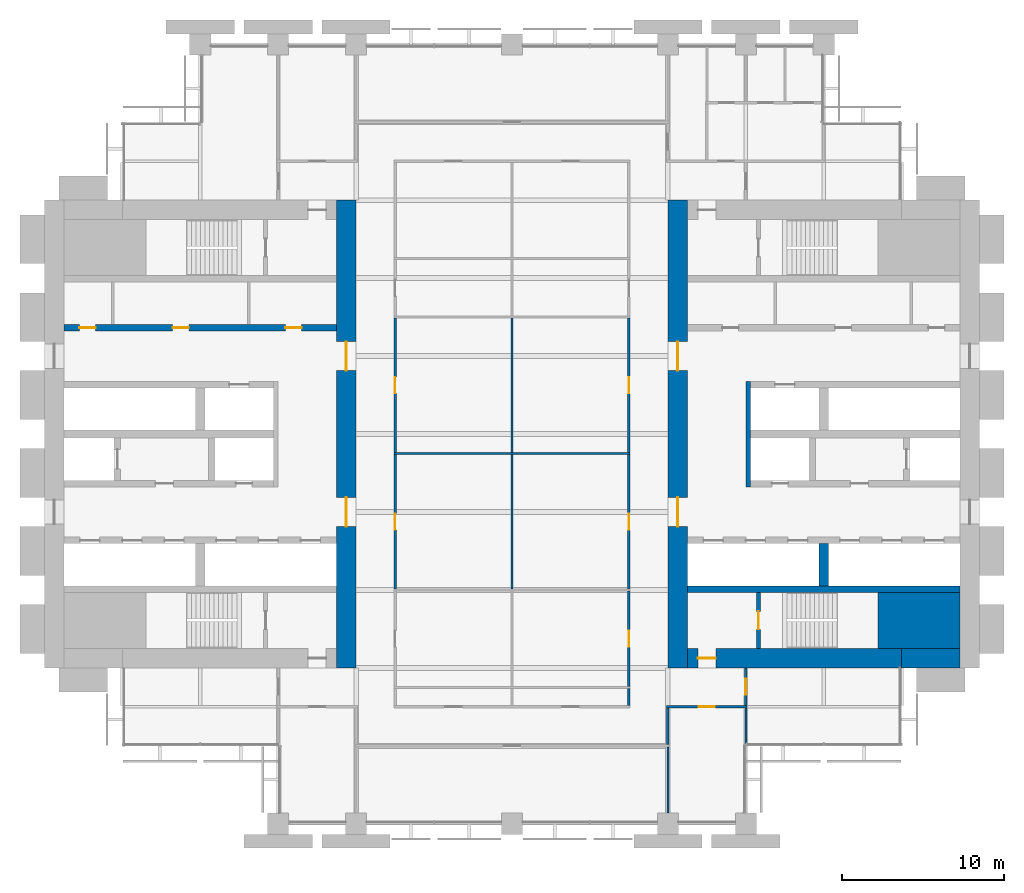
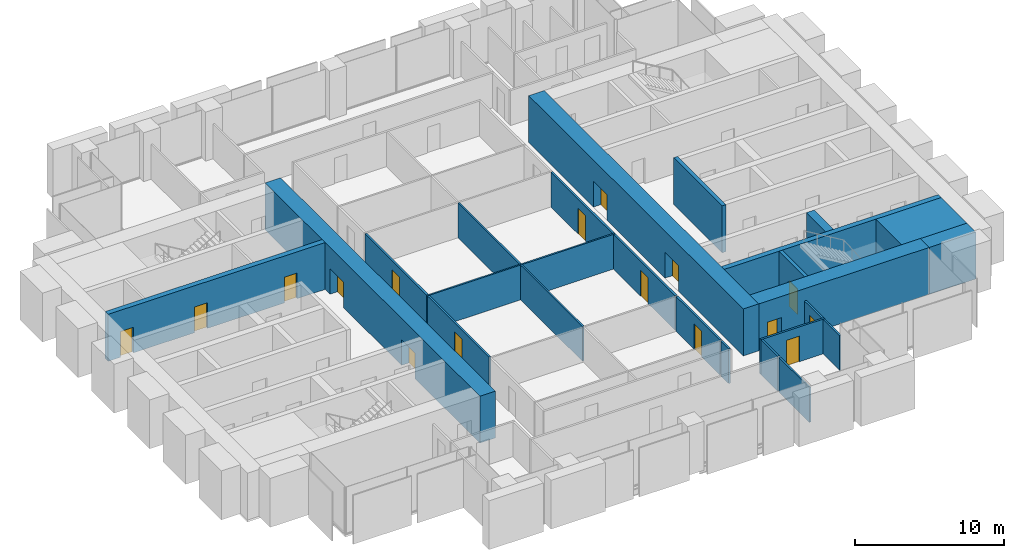
# One storey, part 10 of 14: 24 walls, 16 doors, 16 openings.
"""IFC4 building model written with IfcOpenShell, lengths in metres."""

from ifc_helpers import new_model, si_unit, direction, frame, frame_2d, origin, place, context, subcontext, project, spatial, rectangle, extrude, material, layer, layer_set, type_object, element, fill, save


model = new_model("IFC4")

# Units and contexts
model_context = context("Model", 3, precision=1e-05, world=origin(), true_north=direction((0.0, 1.0)))
body_context = subcontext(model_context, "Body", "Model", "MODEL_VIEW")
ifc_project = project(units=[si_unit("LENGTHUNIT", "METRE"), si_unit("AREAUNIT", "SQUARE_METRE"), si_unit("VOLUMEUNIT", "CUBIC_METRE"), si_unit("PLANEANGLEUNIT", "RADIAN"), si_unit("MASSUNIT", "GRAM", prefix="KILO")], contexts=[model_context])

# Site, building, storey
site_placement = place(None, origin())
site = spatial("IfcSite", under=ifc_project, at=site_placement, CompositionType="ELEMENT")
building_placement = place(site_placement, origin())
building = spatial("IfcBuilding", under=site, at=building_placement, Name="Baori Bourse Tower", CompositionType="ELEMENT")
storey_placement = place(building_placement, frame((0.0, 0.0, 79.0)))
storey = spatial("IfcBuildingStorey", under=building, at=storey_placement, Name="L17", CompositionType="ELEMENT", Elevation=79.0)

# Wall
ifc_material_1 = material(Name="Concrete f'c 70 MPa", Category="concrete")
wall_type_1 = type_object("IfcWallType", Name="Core corner block f'c 70", PredefinedType="SHEAR", material=ifc_material_1)
wall_1_placement = place(storey_placement, frame((51.35009765625, 12.52490234375, 0.0), z_axis=(0.0, 0.0, 1.0), x_axis=(1.0, 0.0, 0.0)))
element("IfcWall", 1, at=wall_1_placement, inside=storey, type_object=wall_type_1, Name="Core wall E05", PredefinedType="SHEAR", context=body_context, shape_type="SweptSolid", body=[
    extrude(rectangle(XDim=5.0498046875, YDim=3.449951171875, at=frame_2d((2.52490234375, 0.0))), origin(), (0.0, 0.0, 1.0), 3.840087890625),
])

# Wall, openings, doors
ifc_material_2 = material(Name="Concrete f'c 70 MPa", Category="concrete")
ifc_layer_1 = layer(ifc_material_2, 1.199951171875)
ifc_layer_set_1 = layer_set([ifc_layer_1], Name="Core wall 1200 f'c 70")
wall_type_2 = type_object("IfcWallType", Name="Core wall 1200 f'c 70", PredefinedType="SHEAR", material=ifc_layer_set_1)
wall_2_placement = place(storey_placement, frame((18.60009765625, 38.39990234375, 0.0), z_axis=(0.0, 0.0, 1.0), x_axis=(0.0, -1.0, 0.0)))
wall_2 = element("IfcWall", 2, at=wall_2_placement, inside=storey, type_object=wall_type_2, Name="Core wall W04", PredefinedType="SHEAR", context=body_context, shape_type="SweptSolid", body=[
    extrude(rectangle(XDim=28.7998046875, YDim=1.199951171875, at=frame_2d((14.39990234375, 0.0))), origin(), (0.0, 0.0, 1.0), 3.840087890625),
])
opening_1_placement = place(wall_2_placement, frame((18.300048828125, 0.0, 0.0)))
opening_1 = element("IfcOpeningElement", 3, at=opening_1_placement, cuts=wall_2, Name="Opening L17-D107", PredefinedType="OPENING", context=body_context, shape_type="SweptSolid", body=[
    extrude(rectangle(XDim=1.800048828125, YDim=2.10009765625, at=frame_2d((0.89990234375, 1.050048828125))), frame((0.0, 0.60986328125, 0.0), z_axis=(0.0, -1.0, 0.0), x_axis=(1.0, 0.0, 0.0)), (0.0, 0.0, 1.0), 1.219970703125),
])
opening_2_placement = place(wall_2_placement, frame((8.699951171875, 0.0, 0.0)))
opening_2 = element("IfcOpeningElement", 4, at=opening_2_placement, cuts=wall_2, Name="Opening L17-D108", PredefinedType="OPENING", context=body_context, shape_type="SweptSolid", body=[
    extrude(rectangle(XDim=1.800048828125, YDim=2.10009765625, at=frame_2d((0.89990234375, 1.050048828125))), frame((0.0, 0.60986328125, 0.0), z_axis=(0.0, -1.0, 0.0), x_axis=(1.0, 0.0, 0.0)), (0.0, 0.0, 1.0), 1.219970703125),
])
ifc_material_3 = material(Name="Painted steel door", Category="steel")
door_type_1 = type_object("IfcDoorType", Name="Core lobby door 1800", OperationType="DOUBLE_DOOR_SINGLE_SWING", PredefinedType="DOOR", material=ifc_material_3)
door_1_placement = place(opening_1_placement, origin())
door_1 = element("IfcDoor", 5, at=door_1_placement, inside=storey, type_object=door_type_1, Name="Lobby door W L17", OperationType="DOUBLE_DOOR_SINGLE_SWING", OverallHeight=2.10009765625, OverallWidth=1.800048828125, PredefinedType="DOOR", context=body_context, shape_type="SweptSolid", body=[
    extrude(rectangle(XDim=1.800048828125, YDim=2.10009765625, at=frame_2d((0.89990234375, 1.050048828125))), frame((0.0, 0.02490234375, 0.0), z_axis=(0.0, -1.0, 0.0), x_axis=(1.0, 0.0, 0.0)), (0.0, 0.0, 1.0), 0.050048828125),
])
fill(opening_1, door_1)
door_2_placement = place(opening_2_placement, origin())
door_2 = element("IfcDoor", 6, at=door_2_placement, inside=storey, type_object=door_type_1, Name="Lobby door W L17", OperationType="DOUBLE_DOOR_SINGLE_SWING", OverallHeight=2.10009765625, OverallWidth=1.800048828125, PredefinedType="DOOR", context=body_context, shape_type="SweptSolid", body=[
    extrude(rectangle(XDim=1.800048828125, YDim=2.10009765625, at=frame_2d((0.89990234375, 1.050048828125))), frame((0.0, 0.02490234375, 0.0), z_axis=(0.0, -1.0, 0.0), x_axis=(1.0, 0.0, 0.0)), (0.0, 0.0, 1.0), 0.050048828125),
])
fill(opening_2, door_2)

# Wall
wall_3_placement = place(storey_placement, frame((56.39990234375, 10.199951171875, 0.0), z_axis=(0.0, 0.0, 1.0), x_axis=(-1.0, 0.0, 0.0)))
element("IfcWall", 7, at=wall_3_placement, inside=storey, type_object=wall_type_2, Name="Core wall E02", PredefinedType="SHEAR", context=body_context, shape_type="SweptSolid", body=[
    extrude(rectangle(XDim=3.599853515625, YDim=1.199951171875, at=frame_2d((1.7998046875, 0.0))), origin(), (0.0, 0.0, 1.0), 3.840087890625),
])

# Wall, opening, door
wall_4_placement = place(storey_placement, frame((52.800048828125, 10.199951171875, 0.0), z_axis=(0.0, 0.0, 1.0), x_axis=(-1.0, 0.0, 0.0)))
wall_4 = element("IfcWall", 8, at=wall_4_placement, inside=storey, type_object=wall_type_2, Name="Core wall E03", PredefinedType="SHEAR", context=body_context, shape_type="SweptSolid", body=[
    extrude(rectangle(XDim=13.199951171875, YDim=1.199951171875, at=frame_2d((6.60009765625, 0.0))), origin(), (0.0, 0.0, 1.0), 3.840087890625),
])
opening_3_placement = place(wall_4_placement, frame((11.449951171875, 0.0, 0.0)))
opening_3 = element("IfcOpeningElement", 9, at=opening_3_placement, cuts=wall_4, Name="Opening L17-D202", PredefinedType="OPENING", context=body_context, shape_type="SweptSolid", body=[
    extrude(rectangle(XDim=1.10009765625, YDim=2.10009765625, at=frame_2d((0.550048828125, 1.050048828125))), frame((0.0, 0.60986328125, 0.0), z_axis=(0.0, -1.0, 0.0), x_axis=(1.0, 0.0, 0.0)), (0.0, 0.0, 1.0), 1.219970703125),
])
ifc_material_4 = material(Name="Painted steel door", Category="steel")
door_type_2 = type_object("IfcDoorType", Name="Stair door 1100", OperationType="SINGLE_SWING_LEFT", PredefinedType="DOOR", material=ifc_material_4)
door_3_placement = place(opening_3_placement, origin())
door_3 = element("IfcDoor", 10, at=door_3_placement, inside=storey, type_object=door_type_2, Name="Stair vestibule door A E L17", OperationType="SINGLE_SWING_LEFT", OverallHeight=2.10009765625, OverallWidth=1.10009765625, PredefinedType="DOOR", context=body_context, shape_type="SweptSolid", body=[
    extrude(rectangle(XDim=1.10009765625, YDim=2.10009765625, at=frame_2d((0.550048828125, 1.050048828125))), frame((0.0, 0.02490234375, 0.0), z_axis=(0.0, -1.0, 0.0), x_axis=(1.0, 0.0, 0.0)), (0.0, 0.0, 1.0), 0.050048828125),
])
fill(opening_3, door_3)

# Wall, openings, doors
wall_5_placement = place(storey_placement, frame((39.0, 9.60009765625, 0.0), z_axis=(0.0, 0.0, 1.0), x_axis=(0.0, 1.0, 0.0)))
wall_5 = element("IfcWall", 11, at=wall_5_placement, inside=storey, type_object=wall_type_2, Name="Core wall E04", PredefinedType="SHEAR", context=body_context, shape_type="SweptSolid", body=[
    extrude(rectangle(XDim=28.7998046875, YDim=1.199951171875, at=frame_2d((14.39990234375, 0.0))), origin(), (0.0, 0.0, 1.0), 3.840087890625),
])
opening_4_placement = place(wall_5_placement, frame((8.699951171875, 0.0, 0.0)))
opening_4 = element("IfcOpeningElement", 12, at=opening_4_placement, cuts=wall_5, Name="Opening L17-D207", PredefinedType="OPENING", context=body_context, shape_type="SweptSolid", body=[
    extrude(rectangle(XDim=1.800048828125, YDim=2.10009765625, at=frame_2d((0.89990234375, 1.050048828125))), frame((0.0, 0.60986328125, 0.0), z_axis=(0.0, -1.0, 0.0), x_axis=(1.0, 0.0, 0.0)), (0.0, 0.0, 1.0), 1.219970703125),
])
opening_5_placement = place(wall_5_placement, frame((18.300048828125, 0.0, 0.0)))
opening_5 = element("IfcOpeningElement", 13, at=opening_5_placement, cuts=wall_5, Name="Opening L17-D208", PredefinedType="OPENING", context=body_context, shape_type="SweptSolid", body=[
    extrude(rectangle(XDim=1.800048828125, YDim=2.10009765625, at=frame_2d((0.89990234375, 1.050048828125))), frame((0.0, 0.60986328125, 0.0), z_axis=(0.0, -1.0, 0.0), x_axis=(1.0, 0.0, 0.0)), (0.0, 0.0, 1.0), 1.219970703125),
])
door_4_placement = place(opening_4_placement, origin())
door_4 = element("IfcDoor", 14, at=door_4_placement, inside=storey, type_object=door_type_1, Name="Lobby door E L17", OperationType="DOUBLE_DOOR_SINGLE_SWING", OverallHeight=2.10009765625, OverallWidth=1.800048828125, PredefinedType="DOOR", context=body_context, shape_type="SweptSolid", body=[
    extrude(rectangle(XDim=1.800048828125, YDim=2.10009765625, at=frame_2d((0.89990234375, 1.050048828125))), frame((0.0, 0.02490234375, 0.0), z_axis=(0.0, -1.0, 0.0), x_axis=(1.0, 0.0, 0.0)), (0.0, 0.0, 1.0), 0.050048828125),
])
fill(opening_4, door_4)
door_5_placement = place(opening_5_placement, origin())
door_5 = element("IfcDoor", 15, at=door_5_placement, inside=storey, type_object=door_type_1, Name="Lobby door E L17", OperationType="DOUBLE_DOOR_SINGLE_SWING", OverallHeight=2.10009765625, OverallWidth=1.800048828125, PredefinedType="DOOR", context=body_context, shape_type="SweptSolid", body=[
    extrude(rectangle(XDim=1.800048828125, YDim=2.10009765625, at=frame_2d((0.89990234375, 1.050048828125))), frame((0.0, 0.02490234375, 0.0), z_axis=(0.0, -1.0, 0.0), x_axis=(1.0, 0.0, 0.0)), (0.0, 0.0, 1.0), 0.050048828125),
])
fill(opening_5, door_5)

# Wall, opening, door
ifc_material_5 = material(Name="Gypsum board partition")
ifc_layer_2 = layer(ifc_material_5, 0.14990234375)
ifc_layer_set_2 = layer_set([ifc_layer_2], Name="Corridor partition 150")
wall_type_3 = type_object("IfcWallType", Name="Corridor partition 150", PredefinedType="PARTITIONING", material=ifc_layer_set_2)
wall_6_placement = place(storey_placement, frame((38.324951171875, 7.199951171875, 0.0), z_axis=(0.0, 0.0, 1.0), x_axis=(1.0, 0.0, 0.0)))
wall_6 = element("IfcWall", 16, at=wall_6_placement, inside=storey, type_object=wall_type_3, Name="Partition", PredefinedType="PARTITIONING", context=body_context, shape_type="SweptSolid", body=[
    extrude(rectangle(XDim=4.949951171875, YDim=0.14990234375, at=frame_2d((2.47509765625, 0.0))), origin(), (0.0, 0.0, 1.0), 2.849365234375),
])
opening_6_placement = place(wall_6_placement, frame((1.97509765625, 0.0, 0.0)))
opening_6 = element("IfcOpeningElement", 17, at=opening_6_placement, cuts=wall_6, Name="Opening L17-D05", PredefinedType="OPENING", context=body_context, shape_type="SweptSolid", body=[
    extrude(rectangle(XDim=1.0, YDim=2.10009765625, at=frame_2d((0.5, 1.050048828125))), frame((0.0, 0.0849609375, 0.0), z_axis=(0.0, -1.0, 0.0), x_axis=(1.0, 0.0, 0.0)), (0.0, 0.0, 1.0), 0.169921875),
])
ifc_material_6 = material(Name="Timber door leaf", Category="wood")
door_type_3 = type_object("IfcDoorType", Name="Door 1000 x 2100", OperationType="SINGLE_SWING_LEFT", PredefinedType="DOOR", material=ifc_material_6)
door_6_placement = place(opening_6_placement, origin())
door_6 = element("IfcDoor", 18, at=door_6_placement, inside=storey, type_object=door_type_3, Name="Door", OperationType="SINGLE_SWING_LEFT", OverallHeight=2.10009765625, OverallWidth=1.0, PredefinedType="DOOR", context=body_context, shape_type="SweptSolid", body=[
    extrude(rectangle(XDim=1.0, YDim=2.10009765625, at=frame_2d((0.5, 1.050048828125))), frame((0.0, 0.02490234375, 0.0), z_axis=(0.0, -1.0, 0.0), x_axis=(1.0, 0.0, 0.0)), (0.0, 0.0, 1.0), 0.050048828125),
])
fill(opening_6, door_6)

wall_7_placement = place(storey_placement, frame((21.60009765625, 14.46240234375, 0.0), z_axis=(0.0, 0.0, 1.0), x_axis=(0.0, 1.0, 0.0)))
wall_7 = element("IfcWall", 19, at=wall_7_placement, inside=storey, type_object=wall_type_3, Name="Partition", PredefinedType="PARTITIONING", context=body_context, shape_type="SweptSolid", body=[
    extrude(rectangle(XDim=8.275146484375, YDim=0.14990234375, at=frame_2d((4.1376953125, 0.0))), origin(), (0.0, 0.0, 1.0), 2.849365234375),
])
opening_7_placement = place(wall_7_placement, frame((3.637451171875, 0.0, 0.0)))
opening_7 = element("IfcOpeningElement", 20, at=opening_7_placement, cuts=wall_7, Name="Opening L17-D17", PredefinedType="OPENING", context=body_context, shape_type="SweptSolid", body=[
    extrude(rectangle(XDim=1.0, YDim=2.10009765625, at=frame_2d((0.5, 1.050048828125))), frame((0.0, 0.0849609375, 0.0), z_axis=(0.0, -1.0, 0.0), x_axis=(1.0, 0.0, 0.0)), (0.0, 0.0, 1.0), 0.169921875),
])
door_7_placement = place(opening_7_placement, origin())
door_7 = element("IfcDoor", 21, at=door_7_placement, inside=storey, type_object=door_type_3, Name="Door", OperationType="SINGLE_SWING_RIGHT", OverallHeight=2.10009765625, OverallWidth=1.0, PredefinedType="DOOR", context=body_context, shape_type="SweptSolid", body=[
    extrude(rectangle(XDim=1.0, YDim=2.10009765625, at=frame_2d((0.5, 1.050048828125))), frame((0.0, 0.02490234375, 0.0), z_axis=(0.0, -1.0, 0.0), x_axis=(1.0, 0.0, 0.0)), (0.0, 0.0, 1.0), 0.050048828125),
])
fill(opening_7, door_7)

wall_8_placement = place(storey_placement, frame((21.60009765625, 22.862548828125, 0.0), z_axis=(0.0, 0.0, 1.0), x_axis=(0.0, 1.0, 0.0)))
wall_8 = element("IfcWall", 22, at=wall_8_placement, inside=storey, type_object=wall_type_3, Name="Partition", PredefinedType="PARTITIONING", context=body_context, shape_type="SweptSolid", body=[
    extrude(rectangle(XDim=8.27490234375, YDim=0.14990234375, at=frame_2d((4.137451171875, 0.0))), origin(), (0.0, 0.0, 1.0), 2.849365234375),
])
opening_8_placement = place(wall_8_placement, frame((3.637451171875, 0.0, 0.0)))
opening_8 = element("IfcOpeningElement", 23, at=opening_8_placement, cuts=wall_8, Name="Opening L17-D18", PredefinedType="OPENING", context=body_context, shape_type="SweptSolid", body=[
    extrude(rectangle(XDim=1.0, YDim=2.10009765625, at=frame_2d((0.5, 1.050048828125))), frame((0.0, 0.0849609375, 0.0), z_axis=(0.0, -1.0, 0.0), x_axis=(1.0, 0.0, 0.0)), (0.0, 0.0, 1.0), 0.169921875),
])
door_8_placement = place(opening_8_placement, origin())
door_8 = element("IfcDoor", 24, at=door_8_placement, inside=storey, type_object=door_type_3, Name="Door", OperationType="SINGLE_SWING_LEFT", OverallHeight=2.10009765625, OverallWidth=1.0, PredefinedType="DOOR", context=body_context, shape_type="SweptSolid", body=[
    extrude(rectangle(XDim=1.0, YDim=2.10009765625, at=frame_2d((0.5, 1.050048828125))), frame((0.0, 0.02490234375, 0.0), z_axis=(0.0, -1.0, 0.0), x_axis=(1.0, 0.0, 0.0)), (0.0, 0.0, 1.0), 0.050048828125),
])
fill(opening_8, door_8)

# Wall
wall_9_placement = place(storey_placement, frame((36.0, 7.27490234375, 0.0), z_axis=(0.0, 0.0, 1.0), x_axis=(0.0, 1.0, 0.0)))
element("IfcWall", 25, at=wall_9_placement, inside=storey, type_object=wall_type_3, Name="Partition", PredefinedType="PARTITIONING", context=body_context, shape_type="SweptSolid", body=[
    extrude(rectangle(XDim=1.0625, YDim=0.14990234375, at=frame_2d((0.53125, 0.0))), origin(), (0.0, 0.0, 1.0), 2.849365234375),
])

# Wall, opening, door
wall_10_placement = place(storey_placement, frame((36.0, 8.46240234375, 0.0), z_axis=(0.0, 0.0, 1.0), x_axis=(0.0, 1.0, 0.0)))
wall_10 = element("IfcWall", 26, at=wall_10_placement, inside=storey, type_object=wall_type_3, Name="Partition", PredefinedType="PARTITIONING", context=body_context, shape_type="SweptSolid", body=[
    extrude(rectangle(XDim=5.875, YDim=0.14990234375, at=frame_2d((2.9375, 0.0))), origin(), (0.0, 0.0, 1.0), 2.849365234375),
])
opening_9_placement = place(wall_10_placement, frame((2.4375, 0.0, 0.0)))
opening_9 = element("IfcOpeningElement", 27, at=opening_9_placement, cuts=wall_10, Name="Opening L17-D20", PredefinedType="OPENING", context=body_context, shape_type="SweptSolid", body=[
    extrude(rectangle(XDim=1.0, YDim=2.10009765625, at=frame_2d((0.5, 1.050048828125))), frame((0.0, 0.0849609375, 0.0), z_axis=(0.0, -1.0, 0.0), x_axis=(1.0, 0.0, 0.0)), (0.0, 0.0, 1.0), 0.169921875),
])
door_9_placement = place(opening_9_placement, origin())
door_9 = element("IfcDoor", 28, at=door_9_placement, inside=storey, type_object=door_type_3, Name="Door", OperationType="SINGLE_SWING_RIGHT", OverallHeight=2.10009765625, OverallWidth=1.0, PredefinedType="DOOR", context=body_context, shape_type="SweptSolid", body=[
    extrude(rectangle(XDim=1.0, YDim=2.10009765625, at=frame_2d((0.5, 1.050048828125))), frame((0.0, 0.02490234375, 0.0), z_axis=(0.0, -1.0, 0.0), x_axis=(1.0, 0.0, 0.0)), (0.0, 0.0, 1.0), 0.050048828125),
])
fill(opening_9, door_9)

wall_11_placement = place(storey_placement, frame((36.0, 14.46240234375, 0.0), z_axis=(0.0, 0.0, 1.0), x_axis=(0.0, 1.0, 0.0)))
wall_11 = element("IfcWall", 29, at=wall_11_placement, inside=storey, type_object=wall_type_3, Name="Partition", PredefinedType="PARTITIONING", context=body_context, shape_type="SweptSolid", body=[
    extrude(rectangle(XDim=8.275146484375, YDim=0.14990234375, at=frame_2d((4.1376953125, 0.0))), origin(), (0.0, 0.0, 1.0), 2.849365234375),
])
opening_10_placement = place(wall_11_placement, frame((3.637451171875, 0.0, 0.0)))
opening_10 = element("IfcOpeningElement", 30, at=opening_10_placement, cuts=wall_11, Name="Opening L17-D21", PredefinedType="OPENING", context=body_context, shape_type="SweptSolid", body=[
    extrude(rectangle(XDim=1.0, YDim=2.10009765625, at=frame_2d((0.5, 1.050048828125))), frame((0.0, 0.0849609375, 0.0), z_axis=(0.0, -1.0, 0.0), x_axis=(1.0, 0.0, 0.0)), (0.0, 0.0, 1.0), 0.169921875),
])
door_10_placement = place(opening_10_placement, origin())
door_10 = element("IfcDoor", 31, at=door_10_placement, inside=storey, type_object=door_type_3, Name="Door", OperationType="SINGLE_SWING_LEFT", OverallHeight=2.10009765625, OverallWidth=1.0, PredefinedType="DOOR", context=body_context, shape_type="SweptSolid", body=[
    extrude(rectangle(XDim=1.0, YDim=2.10009765625, at=frame_2d((0.5, 1.050048828125))), frame((0.0, 0.02490234375, 0.0), z_axis=(0.0, -1.0, 0.0), x_axis=(1.0, 0.0, 0.0)), (0.0, 0.0, 1.0), 0.050048828125),
])
fill(opening_10, door_10)

wall_12_placement = place(storey_placement, frame((36.0, 22.862548828125, 0.0), z_axis=(0.0, 0.0, 1.0), x_axis=(0.0, 1.0, 0.0)))
wall_12 = element("IfcWall", 32, at=wall_12_placement, inside=storey, type_object=wall_type_3, Name="Partition", PredefinedType="PARTITIONING", context=body_context, shape_type="SweptSolid", body=[
    extrude(rectangle(XDim=8.27490234375, YDim=0.14990234375, at=frame_2d((4.137451171875, 0.0))), origin(), (0.0, 0.0, 1.0), 2.849365234375),
])
opening_11_placement = place(wall_12_placement, frame((3.637451171875, 0.0, 0.0)))
opening_11 = element("IfcOpeningElement", 33, at=opening_11_placement, cuts=wall_12, Name="Opening L17-D22", PredefinedType="OPENING", context=body_context, shape_type="SweptSolid", body=[
    extrude(rectangle(XDim=1.0, YDim=2.10009765625, at=frame_2d((0.5, 1.050048828125))), frame((0.0, 0.0849609375, 0.0), z_axis=(0.0, -1.0, 0.0), x_axis=(1.0, 0.0, 0.0)), (0.0, 0.0, 1.0), 0.169921875),
])
door_11_placement = place(opening_11_placement, origin())
door_11 = element("IfcDoor", 34, at=door_11_placement, inside=storey, type_object=door_type_3, Name="Door", OperationType="SINGLE_SWING_RIGHT", OverallHeight=2.10009765625, OverallWidth=1.0, PredefinedType="DOOR", context=body_context, shape_type="SweptSolid", body=[
    extrude(rectangle(XDim=1.0, YDim=2.10009765625, at=frame_2d((0.5, 1.050048828125))), frame((0.0, 0.02490234375, 0.0), z_axis=(0.0, -1.0, 0.0), x_axis=(1.0, 0.0, 0.0)), (0.0, 0.0, 1.0), 0.050048828125),
])
fill(opening_11, door_11)

# Wall
wall_13_placement = place(storey_placement, frame((38.39990234375, 4.875, 0.0), z_axis=(0.0, 0.0, 1.0), x_axis=(0.0, 1.0, 0.0)))
element("IfcWall", 35, at=wall_13_placement, inside=storey, type_object=wall_type_3, Name="Partition", PredefinedType="PARTITIONING", context=body_context, shape_type="SweptSolid", body=[
    extrude(rectangle(XDim=2.25, YDim=0.14990234375, at=frame_2d((1.125, 0.0))), origin(), (0.0, 0.0, 1.0), 2.849365234375),
])

# Wall, opening, door
wall_14_placement = place(storey_placement, frame((43.199951171875, 7.27490234375, 0.0), z_axis=(0.0, 0.0, 1.0), x_axis=(0.0, 1.0, 0.0)))
wall_14 = element("IfcWall", 36, at=wall_14_placement, inside=storey, type_object=wall_type_3, Name="Partition", PredefinedType="PARTITIONING", context=body_context, shape_type="SweptSolid", body=[
    extrude(rectangle(XDim=2.3251953125, YDim=0.14990234375, at=frame_2d((1.16259765625, 0.0))), origin(), (0.0, 0.0, 1.0), 2.849365234375),
])
opening_12_placement = place(wall_14_placement, frame((0.66259765625, 0.0, 0.0)))
opening_12 = element("IfcOpeningElement", 37, at=opening_12_placement, cuts=wall_14, Name="Opening L17-D25", PredefinedType="OPENING", context=body_context, shape_type="SweptSolid", body=[
    extrude(rectangle(XDim=1.0, YDim=2.10009765625, at=frame_2d((0.5, 1.050048828125))), frame((0.0, 0.0849609375, 0.0), z_axis=(0.0, -1.0, 0.0), x_axis=(1.0, 0.0, 0.0)), (0.0, 0.0, 1.0), 0.169921875),
])
door_12_placement = place(opening_12_placement, origin())
door_12 = element("IfcDoor", 38, at=door_12_placement, inside=storey, type_object=door_type_3, Name="Door", OperationType="SINGLE_SWING_LEFT", OverallHeight=2.10009765625, OverallWidth=1.0, PredefinedType="DOOR", context=body_context, shape_type="SweptSolid", body=[
    extrude(rectangle(XDim=1.0, YDim=2.10009765625, at=frame_2d((0.5, 1.050048828125))), frame((0.0, 0.02490234375, 0.0), z_axis=(0.0, -1.0, 0.0), x_axis=(1.0, 0.0, 0.0)), (0.0, 0.0, 1.0), 0.050048828125),
])
fill(opening_12, door_12)

# Walls
ifc_material_7 = material(Name="Gypsum board partition")
ifc_layer_3 = layer(ifc_material_7, 0.125)
ifc_layer_set_3 = layer_set([ifc_layer_3], Name="Partition 125")
wall_type_4 = type_object("IfcWallType", Name="Partition 125", PredefinedType="PARTITIONING", material=ifc_layer_set_3)
wall_15_placement = place(storey_placement, frame((21.52490234375, 22.800048828125, 0.0), z_axis=(0.0, 0.0, 1.0), x_axis=(1.0, 0.0, 0.0)))
element("IfcWall", 39, at=wall_15_placement, inside=storey, type_object=wall_type_4, Name="Partition", PredefinedType="PARTITIONING", context=body_context, shape_type="SweptSolid", body=[
    extrude(rectangle(XDim=14.550048828125, YDim=0.125, at=frame_2d((7.27490234375, 0.0))), origin(), (0.0, 0.0, 1.0), 2.849365234375),
])
wall_16_placement = place(storey_placement, frame((28.800048828125, 14.46240234375, 0.0), z_axis=(0.0, 0.0, 1.0), x_axis=(0.0, 1.0, 0.0)))
element("IfcWall", 40, at=wall_16_placement, inside=storey, type_object=wall_type_4, Name="Partition", PredefinedType="PARTITIONING", context=body_context, shape_type="SweptSolid", body=[
    extrude(rectangle(XDim=8.275146484375, YDim=0.125, at=frame_2d((4.1376953125, 0.0))), origin(), (0.0, 0.0, 1.0), 2.849365234375),
])
wall_17_placement = place(storey_placement, frame((28.800048828125, 22.862548828125, 0.0), z_axis=(0.0, 0.0, 1.0), x_axis=(0.0, 1.0, 0.0)))
element("IfcWall", 41, at=wall_17_placement, inside=storey, type_object=wall_type_4, Name="Partition", PredefinedType="PARTITIONING", context=body_context, shape_type="SweptSolid", body=[
    extrude(rectangle(XDim=8.27490234375, YDim=0.125, at=frame_2d((4.137451171875, 0.0))), origin(), (0.0, 0.0, 1.0), 2.849365234375),
])
wall_18_placement = place(storey_placement, frame((38.39990234375, 0.64990234375, 0.0), z_axis=(0.0, 0.0, 1.0), x_axis=(0.0, 1.0, 0.0)))
element("IfcWall", 42, at=wall_18_placement, inside=storey, type_object=wall_type_4, Name="Partition", PredefinedType="PARTITIONING", context=body_context, shape_type="SweptSolid", body=[
    extrude(rectangle(XDim=4.0751953125, YDim=0.125, at=frame_2d((2.03759765625, 0.0))), origin(), (0.0, 0.0, 1.0), 2.849365234375),
])
wall_19_placement = place(storey_placement, frame((43.199951171875, 4.89990234375, 0.0), z_axis=(0.0, 0.0, 1.0), x_axis=(0.0, 1.0, 0.0)))
element("IfcWall", 43, at=wall_19_placement, inside=storey, type_object=wall_type_4, Name="Partition", PredefinedType="PARTITIONING", context=body_context, shape_type="SweptSolid", body=[
    extrude(rectangle(XDim=2.22509765625, YDim=0.125, at=frame_2d((1.112548828125, 0.0))), origin(), (0.0, 0.0, 1.0), 2.849365234375),
])

# Wall, opening, door
ifc_material_8 = material(Name="Concrete f'c 70 MPa", Category="concrete")
ifc_layer_4 = layer(ifc_material_8, 0.25)
ifc_layer_set_4 = layer_set([ifc_layer_4], Name="Shaft wall 250 f'c 70")
wall_type_5 = type_object("IfcWallType", Name="Shaft wall 250 f'c 70", PredefinedType="SHEAR", material=ifc_layer_set_4)
wall_20_placement = place(storey_placement, frame((43.97509765625, 10.800048828125, 0.0), z_axis=(0.0, 0.0, 1.0), x_axis=(0.0, 1.0, 0.0)))
wall_20 = element("IfcWall", 44, at=wall_20_placement, inside=storey, type_object=wall_type_5, Name="Core wall E06", PredefinedType="SHEAR", context=body_context, shape_type="SweptSolid", body=[
    extrude(rectangle(XDim=3.449951171875, YDim=0.25, at=frame_2d((1.72509765625, 0.0))), origin(), (0.0, 0.0, 1.0), 3.840087890625),
])
opening_13_placement = place(wall_20_placement, frame((1.175048828125, 0.0, 0.0)))
opening_13 = element("IfcOpeningElement", 45, at=opening_13_placement, cuts=wall_20, Name="Opening L17-D201", PredefinedType="OPENING", context=body_context, shape_type="SweptSolid", body=[
    extrude(rectangle(XDim=1.10009765625, YDim=2.10009765625, at=frame_2d((0.550048828125, 1.050048828125))), frame((0.0, 0.135009765625, 0.0), z_axis=(0.0, -1.0, 0.0), x_axis=(1.0, 0.0, 0.0)), (0.0, 0.0, 1.0), 0.27001953125),
])
door_13_placement = place(opening_13_placement, origin())
door_13 = element("IfcDoor", 46, at=door_13_placement, inside=storey, type_object=door_type_2, Name="Stair door A E L17", OperationType="SINGLE_SWING_LEFT", OverallHeight=2.10009765625, OverallWidth=1.10009765625, PredefinedType="DOOR", context=body_context, shape_type="SweptSolid", body=[
    extrude(rectangle(XDim=1.10009765625, YDim=2.10009765625, at=frame_2d((0.550048828125, 1.050048828125))), frame((0.0, 0.02490234375, 0.0), z_axis=(0.0, -1.0, 0.0), x_axis=(1.0, 0.0, 0.0)), (0.0, 0.0, 1.0), 0.050048828125),
])
fill(opening_13, door_13)

# Wall
ifc_material_9 = material(Name="Concrete f'c 70 MPa", Category="concrete")
ifc_layer_5 = layer(ifc_material_9, 0.300048828125)
ifc_layer_set_5 = layer_set([ifc_layer_5], Name="Shaft wall 300 f'c 70")
wall_type_6 = type_object("IfcWallType", Name="Shaft wall 300 f'c 70", PredefinedType="SHEAR", material=ifc_layer_set_5)
wall_21_placement = place(storey_placement, frame((43.35009765625, 20.75, 0.0), z_axis=(0.0, 0.0, 1.0), x_axis=(0.0, 1.0, 0.0)))
element("IfcWall", 47, at=wall_21_placement, inside=storey, type_object=wall_type_6, Name="Core wall E11", PredefinedType="SHEAR", context=body_context, shape_type="SweptSolid", body=[
    extrude(rectangle(XDim=6.5, YDim=0.300048828125, at=frame_2d((3.25, 0.0))), origin(), (0.0, 0.0, 1.0), 3.840087890625),
])

# Wall, openings, doors
ifc_material_10 = material(Name="Concrete f'c 70 MPa", Category="concrete")
ifc_layer_6 = layer(ifc_material_10, 0.39990234375)
ifc_layer_set_6 = layer_set([ifc_layer_6], Name="Shaft wall 400 f'c 70")
wall_type_7 = type_object("IfcWallType", Name="Shaft wall 400 f'c 70", PredefinedType="SHEAR", material=ifc_layer_set_6)
wall_22_placement = place(storey_placement, frame((1.199951171875, 30.550048828125, 0.0), z_axis=(0.0, 0.0, 1.0), x_axis=(1.0, 0.0, 0.0)))
wall_22 = element("IfcWall", 48, at=wall_22_placement, inside=storey, type_object=wall_type_7, Name="Core wall W17", PredefinedType="SHEAR", context=body_context, shape_type="SweptSolid", body=[
    extrude(rectangle(XDim=16.800048828125, YDim=0.39990234375, at=frame_2d((8.39990234375, 0.0))), origin(), (0.0, 0.0, 1.0), 3.840087890625),
])
opening_14_placement = place(wall_22_placement, frame((0.96240234375, 0.0, 0.0)))
opening_14 = element("IfcOpeningElement", 49, at=opening_14_placement, cuts=wall_22, Name="Opening L17-D109", PredefinedType="OPENING", context=body_context, shape_type="SweptSolid", body=[
    extrude(rectangle(XDim=1.0, YDim=2.10009765625, at=frame_2d((0.5, 1.050048828125))), frame((0.0, 0.2099609375, 0.0), z_axis=(0.0, -1.0, 0.0), x_axis=(1.0, 0.0, 0.0)), (0.0, 0.0, 1.0), 0.419921875),
])
opening_15_placement = place(wall_22_placement, frame((6.699951171875, 0.0, 0.0)))
opening_15 = element("IfcOpeningElement", 50, at=opening_15_placement, cuts=wall_22, Name="Opening L17-D110", PredefinedType="OPENING", context=body_context, shape_type="SweptSolid", body=[
    extrude(rectangle(XDim=1.0, YDim=2.10009765625, at=frame_2d((0.5, 1.050048828125))), frame((0.0, 0.2099609375, 0.0), z_axis=(0.0, -1.0, 0.0), x_axis=(1.0, 0.0, 0.0)), (0.0, 0.0, 1.0), 0.419921875),
])
opening_16_placement = place(wall_22_placement, frame((13.637451171875, 0.0, 0.0)))
opening_16 = element("IfcOpeningElement", 51, at=opening_16_placement, cuts=wall_22, Name="Opening L17-D111", PredefinedType="OPENING", context=body_context, shape_type="SweptSolid", body=[
    extrude(rectangle(XDim=1.0, YDim=2.10009765625, at=frame_2d((0.5, 1.050048828125))), frame((0.0, 0.2099609375, 0.0), z_axis=(0.0, -1.0, 0.0), x_axis=(1.0, 0.0, 0.0)), (0.0, 0.0, 1.0), 0.419921875),
])
ifc_material_11 = material(Name="Painted steel door", Category="steel")
door_type_4 = type_object("IfcDoorType", Name="Core door 1000", OperationType="SINGLE_SWING_LEFT", PredefinedType="DOOR", material=ifc_material_11)
door_14_placement = place(opening_14_placement, origin())
door_14 = element("IfcDoor", 52, at=door_14_placement, inside=storey, type_object=door_type_4, Name="Accessible Wc door W L17", OperationType="SINGLE_SWING_LEFT", OverallHeight=2.10009765625, OverallWidth=1.0, PredefinedType="DOOR", context=body_context, shape_type="SweptSolid", body=[
    extrude(rectangle(XDim=1.0, YDim=2.10009765625, at=frame_2d((0.5, 1.050048828125))), frame((0.0, 0.02490234375, 0.0), z_axis=(0.0, -1.0, 0.0), x_axis=(1.0, 0.0, 0.0)), (0.0, 0.0, 1.0), 0.050048828125),
])
fill(opening_14, door_14)
door_15_placement = place(opening_15_placement, origin())
door_15 = element("IfcDoor", 53, at=door_15_placement, inside=storey, type_object=door_type_4, Name="Men'S Wc door W L17", OperationType="SINGLE_SWING_LEFT", OverallHeight=2.10009765625, OverallWidth=1.0, PredefinedType="DOOR", context=body_context, shape_type="SweptSolid", body=[
    extrude(rectangle(XDim=1.0, YDim=2.10009765625, at=frame_2d((0.5, 1.050048828125))), frame((0.0, 0.02490234375, 0.0), z_axis=(0.0, -1.0, 0.0), x_axis=(1.0, 0.0, 0.0)), (0.0, 0.0, 1.0), 0.050048828125),
])
fill(opening_15, door_15)
door_16_placement = place(opening_16_placement, origin())
door_16 = element("IfcDoor", 54, at=door_16_placement, inside=storey, type_object=door_type_4, Name="Women'S Wc door W L17", OperationType="SINGLE_SWING_LEFT", OverallHeight=2.10009765625, OverallWidth=1.0, PredefinedType="DOOR", context=body_context, shape_type="SweptSolid", body=[
    extrude(rectangle(XDim=1.0, YDim=2.10009765625, at=frame_2d((0.5, 1.050048828125))), frame((0.0, 0.02490234375, 0.0), z_axis=(0.0, -1.0, 0.0), x_axis=(1.0, 0.0, 0.0)), (0.0, 0.0, 1.0), 0.050048828125),
])
fill(opening_16, door_16)

# Walls
wall_23_placement = place(storey_placement, frame((39.60009765625, 14.449951171875, 0.0), z_axis=(0.0, 0.0, 1.0), x_axis=(1.0, 0.0, 0.0)))
element("IfcWall", 55, at=wall_23_placement, inside=storey, type_object=wall_type_7, Name="Core wall E07", PredefinedType="SHEAR", context=body_context, shape_type="SweptSolid", body=[
    extrude(rectangle(XDim=16.7998046875, YDim=0.39990234375, at=frame_2d((8.39990234375, 0.0))), origin(), (0.0, 0.0, 1.0), 3.840087890625),
])
ifc_material_12 = material(Name="Concrete f'c 70 MPa", Category="concrete")
ifc_layer_7 = layer(ifc_material_12, 0.60009765625)
ifc_layer_set_7 = layer_set([ifc_layer_7], Name="Shaft wall 600 f'c 70")
wall_type_8 = type_object("IfcWallType", Name="Shaft wall 600 f'c 70", PredefinedType="SHEAR", material=ifc_layer_set_7)
wall_24_placement = place(storey_placement, frame((48.0, 14.64990234375, 0.0), z_axis=(0.0, 0.0, 1.0), x_axis=(0.0, 1.0, 0.0)))
element("IfcWall", 56, at=wall_24_placement, inside=storey, type_object=wall_type_8, Name="Core wall E08", PredefinedType="SHEAR", context=body_context, shape_type="SweptSolid", body=[
    extrude(rectangle(XDim=2.60009765625, YDim=0.60009765625, at=frame_2d((1.300048828125, 0.0))), origin(), (0.0, 0.0, 1.0), 3.840087890625),
])

save(model, "model.ifc")
